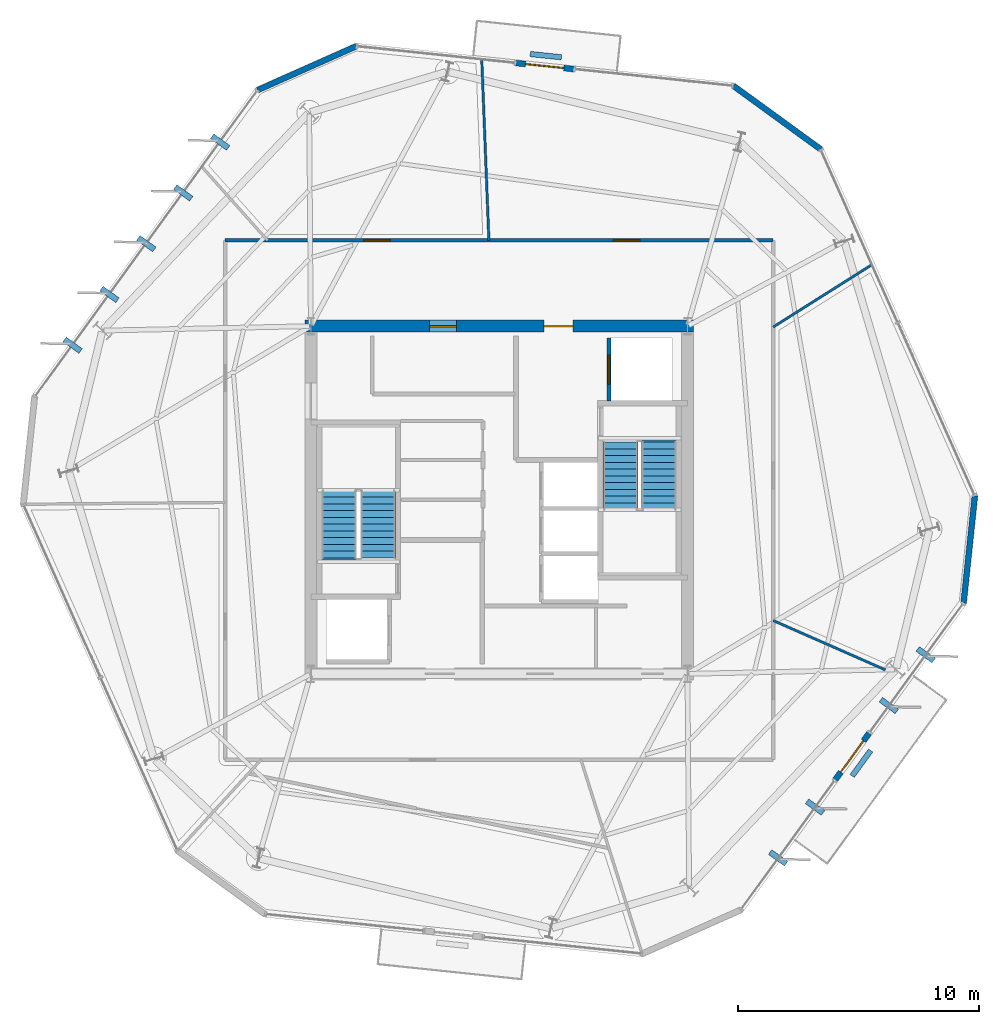
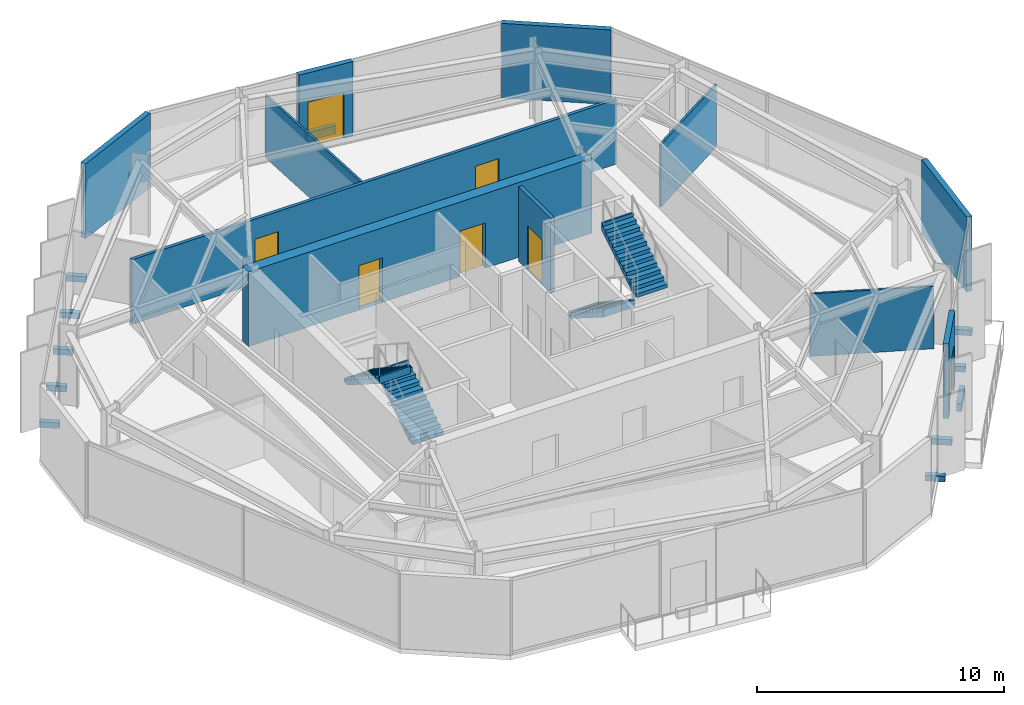
# One storey, part 9 of 12: 13 walls, 9 discrete accessories, 7 doors, 4 stair flights, 7 openings, 2 elements without a shape of their own.
"""IFC4 building model written with IfcOpenShell, lengths in metres."""

from ifc_helpers import new_model, si_unit, direction, frame, frame_2d, origin, origin_2d, place, context, subcontext, project, spatial, polyline, rectangle, outline, extrude, material, layer, layer_set, type_object, element, fill, aggregate, save


model = new_model("IFC4")

# Units and contexts
model_context = context("Model", 3, precision=1e-05, world=origin(), true_north=direction((0.0, 1.0)))
body_context = subcontext(model_context, "Body", "Model", "MODEL_VIEW")
ifc_project = project(units=[si_unit("LENGTHUNIT", "METRE"), si_unit("AREAUNIT", "SQUARE_METRE"), si_unit("VOLUMEUNIT", "CUBIC_METRE"), si_unit("PLANEANGLEUNIT", "RADIAN"), si_unit("MASSUNIT", "GRAM", prefix="KILO")], contexts=[model_context])

# Site, building, storey
site_placement = place(None, origin())
site = spatial("IfcSite", under=ifc_project, at=site_placement, CompositionType="ELEMENT")
building_placement = place(site_placement, origin())
building = spatial("IfcBuilding", under=site, at=building_placement, Name="Kranzbogen Civic Tower", CompositionType="ELEMENT")
storey_placement = place(building_placement, frame((0.0, 0.0, 240.800048828125)))
storey = spatial("IfcBuildingStorey", under=building, at=storey_placement, Name="L58", CompositionType="ELEMENT", Elevation=240.800048828125)

# Wall, openings, doors
ifc_material_1 = material(Name="Double-Stud Acoustic Gypsum Partition")
ifc_layer_1 = layer(ifc_material_1, 0.14990234375, Name="Double-Stud Acoustic Gypsum Partition")
ifc_layer_set_1 = layer_set([ifc_layer_1], Name="Double-Stud Acoustic Gypsum Partition")
wall_type_1 = type_object("IfcWallType", Name="Acoustic Corridor and Clinical Partition 150 mm", PredefinedType="PARTITIONING", material=ifc_layer_set_1)
wall_1_placement = place(storey_placement, frame((13.64990234375, 35.75, 0.0), z_axis=(0.0, 0.0, 1.0), x_axis=(1.0, 0.0, 0.0)))
wall_1 = element("IfcWall", 1, at=wall_1_placement, inside=storey, type_object=wall_type_1, Name="L58 corridor partition 01", PredefinedType="PARTITIONING", context=body_context, shape_type="SweptSolid", body=[
    extrude(rectangle(XDim=22.7001953125, YDim=0.14990234375, at=frame_2d((11.35009765625, 0.0))), origin(), (0.0, 0.0, 1.0), 3.199951171875),
])
opening_1_placement = place(wall_1_placement, frame((16.077880859375, 0.0, 0.0)))
opening_1 = element("IfcOpeningElement", 2, at=opening_1_placement, cuts=wall_1, Name="Opening D-COR60", PredefinedType="OPENING", context=body_context, shape_type="SweptSolid", body=[
    extrude(rectangle(XDim=1.10009765625, YDim=2.199951171875, at=frame_2d((0.550048828125, 1.10009765625))), frame((0.0, 0.0849609375, 0.0), z_axis=(0.0, -1.0, 0.0), x_axis=(1.0, 0.0, 0.0)), (0.0, 0.0, 1.0), 0.169921875),
])
opening_2_placement = place(wall_1_placement, frame((5.75, 0.0, 0.0)))
opening_2 = element("IfcOpeningElement", 3, at=opening_2_placement, cuts=wall_1, Name="Opening D-COR60", PredefinedType="OPENING", context=body_context, shape_type="SweptSolid", body=[
    extrude(rectangle(XDim=1.10009765625, YDim=2.199951171875, at=frame_2d((0.550048828125, 1.10009765625))), frame((0.0, 0.0849609375, 0.0), z_axis=(0.0, -1.0, 0.0), x_axis=(1.0, 0.0, 0.0)), (0.0, 0.0, 1.0), 0.169921875),
])
ifc_material_2 = material(Name="Oak Timber and Fire Core", Category="wood")
door_type_1 = type_object("IfcDoorType", Name="Corridor Acoustic Fire Door 1100x2200", OperationType="NOTDEFINED", PredefinedType="DOOR", material=ifc_material_2)
door_1_placement = place(opening_1_placement, origin())
door_1 = element("IfcDoor", 4, at=door_1_placement, inside=storey, type_object=door_type_1, Name="L58 Duty Crew Control Room door", OperationType="SINGLE_SWING_RIGHT", OverallHeight=2.199951171875, OverallWidth=1.10009765625, PredefinedType="DOOR", context=body_context, shape_type="SweptSolid", body=[
    extrude(rectangle(XDim=1.10009765625, YDim=2.199951171875, at=frame_2d((0.550048828125, 1.10009765625))), frame((0.0, 0.02490234375, 0.0), z_axis=(0.0, -1.0, 0.0), x_axis=(1.0, 0.0, 0.0)), (0.0, 0.0, 1.0), 0.050048828125),
])
fill(opening_1, door_1)
door_2_placement = place(opening_2_placement, origin())
door_2 = element("IfcDoor", 5, at=door_2_placement, inside=storey, type_object=door_type_1, Name="L58 Staff Tea Pantry door", OperationType="SINGLE_SWING_LEFT", OverallHeight=2.199951171875, OverallWidth=1.10009765625, PredefinedType="DOOR", context=body_context, shape_type="SweptSolid", body=[
    extrude(rectangle(XDim=1.10009765625, YDim=2.199951171875, at=frame_2d((0.550048828125, 1.10009765625))), frame((0.0, 0.02490234375, 0.0), z_axis=(0.0, -1.0, 0.0), x_axis=(1.0, 0.0, 0.0)), (0.0, 0.0, 1.0), 0.050048828125),
])
fill(opening_2, door_2)

# Walls
ifc_material_3 = material(Name="Architectural Precast Terracotta Concrete C40/50", Category="masonry")
ifc_layer_2 = layer(ifc_material_3, 0.219970703125, Name="Architectural Precast Terracotta Concrete C40/50")
ifc_layer_set_2 = layer_set([ifc_layer_2], Name="Architectural Precast Terracotta Concrete C40/50")
wall_type_2 = type_object("IfcWallType", Name="Architectural Tree Planter Kerb Wall 220 mm", PredefinedType="USERDEFINED", material=ifc_layer_set_2)
wall_2_placement = place(storey_placement, frame((27.580078125, 43.3349609375, 0.0), z_axis=(0.0, 0.0, 1.0), x_axis=(-0.994506482607, 0.104675002043, 0.0)))
element("IfcWall", 6, at=wall_2_placement, inside=storey, type_object=wall_type_2, Name="L58 landscaped tree balcony planter L58-TB2", ObjectType="PLANTER_WALL", PredefinedType="USERDEFINED", context=body_context, shape_type="SweptSolid", body=[
    extrude(rectangle(XDim=1.299072265625, YDim=0.219970703125, at=frame_2d((0.6494140625, 0.0))), origin(), (0.0, 0.0, 1.0), 0.39990234375),
])
wall_3_placement = place(storey_placement, frame((39.6220703125, 13.572021484375, 0.0), z_axis=(0.0, 0.0, 1.0), x_axis=(0.587579763197, 0.809166251076, 0.0)))
element("IfcWall", 7, at=wall_3_placement, inside=storey, type_object=wall_type_2, Name="L58 landscaped tree balcony planter L58-ST", ObjectType="PLANTER_WALL", PredefinedType="USERDEFINED", context=body_context, shape_type="SweptSolid", body=[
    extrude(rectangle(XDim=1.300048828125, YDim=0.219970703125, at=frame_2d((0.64990234375, 0.0))), origin(), (0.0, 0.0, 1.0), 0.39990234375),
])

# Wall, openings, doors
ifc_material_4 = material(Name="Concrete C45/55", Category="concrete")
ifc_layer_3 = layer(ifc_material_4, 0.5, Name="Concrete C45/55")
ifc_layer_set_3 = layer_set([ifc_layer_3], Name="Concrete C45/55")
wall_type_3 = type_object("IfcWallType", Name="Central Core Shear Wall 500 mm", PredefinedType="SHEAR", material=ifc_layer_set_3)
wall_4_placement = place(storey_placement, frame((33.050048828125, 32.199951171875, 0.0), z_axis=(0.0, 0.0, 1.0), x_axis=(-1.0, 0.0, 0.0)))
wall_4 = element("IfcWall", 8, at=wall_4_placement, inside=storey, type_object=wall_type_3, Name="L58 central core North shear wall", PredefinedType="SHEAR", context=body_context, shape_type="SweptSolid", body=[
    extrude(rectangle(XDim=16.10009765625, YDim=0.5, at=frame_2d((8.050048828125, 0.0))), origin(), (0.0, 0.0, 1.0), 3.699951171875),
])
opening_3_placement = place(wall_4_placement, frame((5.0, 0.0, 0.0)))
opening_3 = element("IfcOpeningElement", 9, at=opening_3_placement, cuts=wall_4, Name="Opening D-EX120", PredefinedType="OPENING", context=body_context, shape_type="SweptSolid", body=[
    extrude(rectangle(XDim=1.199951171875, YDim=2.25, at=frame_2d((0.60009765625, 1.125))), frame((0.0, 0.260009765625, 0.0), z_axis=(0.0, -1.0, 0.0), x_axis=(1.0, 0.0, 0.0)), (0.0, 0.0, 1.0), 0.52001953125),
])
opening_4_placement = place(wall_4_placement, frame((9.824951171875, 0.0, 0.0)))
opening_4 = element("IfcOpeningElement", 10, at=opening_4_placement, cuts=wall_4, Name="Opening D-COR60", PredefinedType="OPENING", context=body_context, shape_type="SweptSolid", body=[
    extrude(rectangle(XDim=1.10009765625, YDim=2.199951171875, at=frame_2d((0.550048828125, 1.10009765625))), frame((0.0, 0.260009765625, 0.0), z_axis=(0.0, -1.0, 0.0), x_axis=(1.0, 0.0, 0.0)), (0.0, 0.0, 1.0), 0.52001953125),
])
door_3_placement = place(opening_4_placement, origin())
door_3 = element("IfcDoor", 11, at=door_3_placement, inside=storey, type_object=door_type_1, Name="L58 DAT1 comms room door", OperationType="SINGLE_SWING_RIGHT", OverallHeight=2.199951171875, OverallWidth=1.10009765625, PredefinedType="DOOR", context=body_context, shape_type="SweptSolid", body=[
    extrude(rectangle(XDim=1.10009765625, YDim=2.199951171875, at=frame_2d((0.550048828125, 1.10009765625))), frame((0.0, 0.02490234375, 0.0), z_axis=(0.0, -1.0, 0.0), x_axis=(1.0, 0.0, 0.0)), (0.0, 0.0, 1.0), 0.050048828125),
])
fill(opening_4, door_3)
ifc_material_5 = material(Name="Steel S355", Category="steel")
door_type_2 = type_object("IfcDoorType", Name="Exit Passageway Fire Door 1200x2250", OperationType="NOTDEFINED", PredefinedType="DOOR", material=ifc_material_5)
door_4_placement = place(opening_3_placement, origin())
door_4 = element("IfcDoor", 12, at=door_4_placement, inside=storey, type_object=door_type_2, Name="L58 East firefighting lobby corridor door", OperationType="SINGLE_SWING_RIGHT", OverallHeight=2.25, OverallWidth=1.199951171875, PredefinedType="DOOR", context=body_context, shape_type="SweptSolid", body=[
    extrude(rectangle(XDim=1.199951171875, YDim=2.25, at=frame_2d((0.60009765625, 1.125))), frame((0.0, 0.02490234375, 0.0), z_axis=(0.0, -1.0, 0.0), x_axis=(1.0, 0.0, 0.0)), (0.0, 0.0, 1.0), 0.050048828125),
])
fill(opening_3, door_4)

# Walls
ifc_material_6 = material(Name="Demountable Aluminium and Gypsum Partition", Category="aluminium")
ifc_layer_4 = layer(ifc_material_6, 0.10009765625, Name="Demountable Aluminium and Gypsum Partition")
ifc_layer_set_4 = layer_set([ifc_layer_4], Name="Demountable Aluminium and Gypsum Partition")
wall_type_4 = type_object("IfcWallType", Name="Demountable Office Partition 100 mm", PredefinedType="MOVABLE", material=ifc_layer_set_4)
wall_5_placement = place(storey_placement, frame((24.575927734375, 35.75, 0.0), z_axis=(0.0, 0.0, 1.0), x_axis=(-0.03939754968, 0.999223615153, 0.0)))
element("IfcWall", 13, at=wall_5_placement, inside=storey, type_object=wall_type_4, Name="L58 radial room partition 01", PredefinedType="MOVABLE", context=body_context, shape_type="SweptSolid", body=[
    extrude(rectangle(XDim=7.48583984375, YDim=0.10009765625, at=frame_2d((3.742919921875, 0.0))), origin(), (0.0, 0.0, 1.0), 3.099853515625),
])
wall_6_placement = place(storey_placement, frame((36.35009765625, 20.008056640625, 0.0), z_axis=(0.0, 0.0, 1.0), x_axis=(0.915376770815, -0.402598270553, 0.0)))
element("IfcWall", 14, at=wall_6_placement, inside=storey, type_object=wall_type_4, Name="L58 radial room partition 06", PredefinedType="MOVABLE", context=body_context, shape_type="SweptSolid", body=[
    extrude(rectangle(XDim=5.072021484375, YDim=0.10009765625, at=frame_2d((2.5361328125, 0.0))), origin(), (0.0, 0.0, 1.0), 3.099853515625),
])
wall_7_placement = place(storey_placement, frame((36.35009765625, 32.1640625, 0.0), z_axis=(0.0, 0.0, 1.0), x_axis=(0.845632033333, 0.53376630111, 0.0)))
element("IfcWall", 15, at=wall_7_placement, inside=storey, type_object=wall_type_4, Name="L58 radial room partition 07", PredefinedType="MOVABLE", context=body_context, shape_type="SweptSolid", body=[
    extrude(rectangle(XDim=4.822265625, YDim=0.10009765625, at=frame_2d((2.4111328125, 0.0))), origin(), (0.0, 0.0, 1.0), 3.099853515625),
])

# Wall, opening, door
ifc_material_7 = material(Name="Gypsum Fireboard Shaftliner")
ifc_layer_5 = layer(ifc_material_7, 0.175048828125, Name="Gypsum Fireboard Shaftliner")
ifc_layer_set_5 = layer_set([ifc_layer_5], Name="Gypsum Fireboard Shaftliner")
wall_type_5 = type_object("IfcWallType", Name="Fire-Rated Lift and Service Shaft Wall 175 mm", PredefinedType="PARTITIONING", material=ifc_layer_set_5)
wall_8_placement = place(storey_placement, frame((29.550048828125, 29.10009765625, 0.0), z_axis=(0.0, 0.0, 1.0), x_axis=(0.0, 1.0, 0.0)))
wall_8 = element("IfcWall", 16, at=wall_8_placement, inside=storey, type_object=wall_type_5, Name="L58 lift FF-02 landing wall", PredefinedType="PARTITIONING", context=body_context, shape_type="SweptSolid", body=[
    extrude(rectangle(XDim=2.599853515625, YDim=0.175048828125, at=frame_2d((1.2998046875, 0.0))), origin(), (0.0, 0.0, 1.0), 3.699951171875),
])
opening_5_placement = place(wall_8_placement, frame((0.699951171875, 0.0, 0.0)))
opening_5 = element("IfcOpeningElement", 17, at=opening_5_placement, cuts=wall_8, Name="Opening LD-FF-02", PredefinedType="OPENING", context=body_context, shape_type="SweptSolid", body=[
    extrude(rectangle(XDim=1.199951171875, YDim=2.199951171875, at=frame_2d((0.60009765625, 1.10009765625))), frame((0.0, 0.09765625, 0.0), z_axis=(0.0, -1.0, 0.0), x_axis=(1.0, 0.0, 0.0)), (0.0, 0.0, 1.0), 0.195068359375),
])
ifc_material_8 = material(Name="Pale Anodised Aluminium", Category="aluminium")
door_type_3 = type_object("IfcDoorType", Name="Firefighting and Stretcher Lift Sliding Landing Door 1200x2200", OperationType="DOUBLE_DOOR_SLIDING", PredefinedType="DOOR", material=ifc_material_8)
door_5_placement = place(opening_5_placement, origin())
door_5 = element("IfcDoor", 18, at=door_5_placement, inside=storey, type_object=door_type_3, Name="L58 lift FF-02 sliding landing door", OperationType="DOUBLE_DOOR_SLIDING", OverallHeight=2.199951171875, OverallWidth=1.199951171875, PredefinedType="DOOR", context=body_context, shape_type="SweptSolid", body=[
    extrude(rectangle(XDim=1.199951171875, YDim=2.199951171875, at=frame_2d((0.60009765625, 1.10009765625))), frame((0.0, 0.02490234375, 0.0), z_axis=(0.0, -1.0, 0.0), x_axis=(1.0, 0.0, 0.0)), (0.0, 0.0, 1.0), 0.050048828125),
])
fill(opening_5, door_5)

ifc_layer_6 = layer(ifc_material_8, 0.239990234375, Name="Pale Anodised Aluminium")
ifc_layer_set_6 = layer_set([ifc_layer_6], Name="Pale Anodised Aluminium")
wall_type_6 = type_object("IfcWallType", Name="Insulated Aluminium Facade Portal Wall 240 mm", PredefinedType="STANDARD", material=ifc_layer_set_6)
wall_9_placement = place(storey_placement, frame((28.08203125, 42.846923828125, 0.0), z_axis=(0.0, 0.0, 1.0), x_axis=(-0.994517708252, 0.10456829335, 0.0)))
wall_9 = element("IfcWall", 19, at=wall_9_placement, inside=storey, type_object=wall_type_6, Name="L58 exterior entrance portal wall 1", PredefinedType="STANDARD", context=body_context, shape_type="SweptSolid", body=[
    extrude(rectangle(XDim=2.400146484375, YDim=0.239990234375, at=frame_2d((1.2001953125, 0.0))), origin(), (0.0, 0.0, 1.0), 3.699951171875),
])
opening_6_placement = place(wall_9_placement, frame((0.39990234375, 0.0, 0.0)))
opening_6 = element("IfcOpeningElement", 20, at=opening_6_placement, cuts=wall_9, Name="Opening D-TER", PredefinedType="OPENING", context=body_context, shape_type="SweptSolid", body=[
    extrude(rectangle(XDim=1.60009765625, YDim=2.25, at=frame_2d((0.800048828125, 1.125))), frame((0.0, 0.1298828125, 0.0), z_axis=(0.0, -1.0, 0.0), x_axis=(1.0, 0.0, 0.0)), (0.0, 0.0, 1.0), 0.260009765625),
])
ifc_material_9 = material(Name="Anodised Bronze and Triple Glass", Category="glass")
door_type_4 = type_object("IfcDoorType", Name="Glazed Terrace and Balcony Double Door 1600x2250", OperationType="DOUBLE_DOOR_SINGLE_SWING", PredefinedType="DOOR", material=ifc_material_9)
door_6_placement = place(opening_6_placement, frame((1.60009765625, 0.0, 0.0), z_axis=(0.0, 0.0, 1.0), x_axis=(-1.0, 0.0, 0.0)))
door_6 = element("IfcDoor", 21, at=door_6_placement, inside=storey, type_object=door_type_4, Name="L58 tree balcony access door L58-TB2", OperationType="DOUBLE_DOOR_SINGLE_SWING", OverallHeight=2.25, OverallWidth=1.60009765625, PredefinedType="DOOR", context=body_context, shape_type="SweptSolid", body=[
    extrude(rectangle(XDim=1.60009765625, YDim=2.25, at=frame_2d((0.800048828125, 1.125))), frame((0.0, 0.02490234375, 0.0), z_axis=(0.0, -1.0, 0.0), x_axis=(1.0, 0.0, 0.0)), (0.0, 0.0, 1.0), 0.050048828125),
])
fill(opening_6, door_6)

# Wall
wall_10_placement = place(storey_placement, frame((19.077880859375, 43.79296875, 0.0), z_axis=(0.0, 0.0, 1.0), x_axis=(-0.913581562374, -0.406655540833, 0.0)))
element("IfcWall", 22, at=wall_10_placement, inside=storey, type_object=wall_type_6, Name="L58 chamfered corner facade spandrel 1", PredefinedType="STANDARD", context=body_context, shape_type="SweptSolid", body=[
    extrude(rectangle(XDim=4.468017578125, YDim=0.239990234375, at=frame_2d((2.23388671875, 0.0))), origin(), (0.0, 0.0, 1.0), 3.699951171875),
])

# Wall, opening, door
wall_11_placement = place(storey_placement, frame((38.9150390625, 13.406982421875, 0.0), z_axis=(0.0, 0.0, 1.0), x_axis=(0.58771776895, 0.809066019593, 0.0)))
wall_11 = element("IfcWall", 23, at=wall_11_placement, inside=storey, type_object=wall_type_6, Name="L58 exterior entrance portal wall 1", PredefinedType="STANDARD", context=body_context, shape_type="SweptSolid", body=[
    extrude(rectangle(XDim=2.39892578125, YDim=0.239990234375, at=frame_2d((1.199462890625, 0.0))), origin(), (0.0, 0.0, 1.0), 3.699951171875),
])
opening_7_placement = place(wall_11_placement, frame((0.39990234375, 0.0, 0.0)))
opening_7 = element("IfcOpeningElement", 24, at=opening_7_placement, cuts=wall_11, Name="Opening D-TER", PredefinedType="OPENING", context=body_context, shape_type="SweptSolid", body=[
    extrude(rectangle(XDim=1.60009765625, YDim=2.25, at=frame_2d((0.800048828125, 1.125))), frame((0.0, 0.1298828125, 0.0), z_axis=(0.0, -1.0, 0.0), x_axis=(1.0, 0.0, 0.0)), (0.0, 0.0, 1.0), 0.260009765625),
])
door_7_placement = place(opening_7_placement, frame((1.60009765625, 0.0, 0.0), z_axis=(0.0, 0.0, 1.0), x_axis=(-1.0, 0.0, 0.0)))
door_7 = element("IfcDoor", 25, at=door_7_placement, inside=storey, type_object=door_type_4, Name="L58 spiral terrace access door L58-ST", OperationType="DOUBLE_DOOR_SINGLE_SWING", OverallHeight=2.25, OverallWidth=1.60009765625, PredefinedType="DOOR", context=body_context, shape_type="SweptSolid", body=[
    extrude(rectangle(XDim=1.60009765625, YDim=2.25, at=frame_2d((0.800048828125, 1.125))), frame((0.0, 0.02490234375, 0.0), z_axis=(0.0, -1.0, 0.0), x_axis=(1.0, 0.0, 0.0)), (0.0, 0.0, 1.0), 0.050048828125),
])
fill(opening_7, door_7)

# Walls
wall_12_placement = place(storey_placement, frame((44.236083984375, 20.73095703125, 0.0), z_axis=(0.0, 0.0, 1.0), x_axis=(0.104710374516, 0.994502758904, 0.0)))
element("IfcWall", 26, at=wall_12_placement, inside=storey, type_object=wall_type_6, Name="L58 chamfered corner facade spandrel 5", PredefinedType="STANDARD", context=body_context, shape_type="SweptSolid", body=[
    extrude(rectangle(XDim=4.4697265625, YDim=0.239990234375, at=frame_2d((2.23486328125, 0.0))), origin(), (0.0, 0.0, 1.0), 3.699951171875),
])
wall_13_placement = place(storey_placement, frame((38.31396484375, 39.52490234375, 0.0), z_axis=(0.0, 0.0, 1.0), x_axis=(-0.808861298874, 0.587999489102, 0.0)))
element("IfcWall", 27, at=wall_13_placement, inside=storey, type_object=wall_type_6, Name="L58 chamfered corner facade spandrel 6", PredefinedType="STANDARD", context=body_context, shape_type="SweptSolid", body=[
    extrude(rectangle(XDim=4.468017578125, YDim=0.239990234375, at=frame_2d((2.23388671875, 0.0))), origin(), (0.0, 0.0, 1.0), 3.699951171875),
])

# Stair, stair flights
ifc_material_10 = material(Name="Precast concrete C40/50", Category="concrete")
stair_type_1 = type_object("IfcStairType", Name="Tower Core Pressurized Dogleg Stair 1450", PredefinedType="HALF_TURN_STAIR", material=ifc_material_10)
stair_1_placement = place(storey_placement, origin())
stair_1 = element("IfcStair", 28, at=stair_1_placement, inside=storey, type_object=stair_type_1, Name="L58 Tower Core Pressurized Stair 1", PredefinedType="HALF_TURN_STAIR")
stair_flight_type = type_object("IfcStairFlightType", Name="Precast Concrete Stair Flight R180", PredefinedType="STRAIGHT", material=ifc_material_10)
stair_flight_1_placement = place(storey_placement, frame((19.97509765625, 22.60009765625, 0.0), z_axis=(0.0, 0.0, 1.0), x_axis=(0.0, 1.0, 0.0)))
stair_flight_1 = element("IfcStairFlight", 29, at=stair_flight_1_placement, type_object=stair_flight_type, Name="ST-T1 flight 1", NumberOfRisers=11, NumberOfTreads=10, PredefinedType="STRAIGHT", RiserHeight=0.181818182, TreadLength=0.28, context=body_context, shape_type="SweptSolid", body=[
    extrude(outline(polyline([(0.0, 0.0), (0.0, 0.181884765625), (0.280029296875, 0.181884765625), (0.280029296875, 0.363525390625), (0.56005859375, 0.363525390625), (0.56005859375, 0.54541015625), (0.840087890625, 0.54541015625), (0.840087890625, 0.727294921875), (1.1201171875, 0.727294921875), (1.1201171875, 0.9091796875), (1.39990234375, 0.9091796875), (1.39990234375, 1.0908203125), (1.679931640625, 1.0908203125), (1.679931640625, 1.272705078125), (1.9599609375, 1.272705078125), (1.9599609375, 1.45458984375), (2.239990234375, 1.45458984375), (2.239990234375, 1.636474609375), (2.52001953125, 1.636474609375), (2.52001953125, 1.818115234375), (2.800048828125, 1.818115234375), (2.800048828125, 2.0), (2.880126953125, 2.0), (2.880126953125, 1.639404296875), (0.275146484375, 0.0), (0.0, 0.0)])), frame((0.0, 0.72509765625, 0.0), z_axis=(0.0, -1.0, 0.0), x_axis=(1.0, 0.0, 0.0)), (0.0, 0.0, 1.0), 1.449951171875),
])
stair_flight_2_placement = place(storey_placement, frame((18.375, 25.39990234375, 2.0), z_axis=(0.0, 0.0, 1.0), x_axis=(0.0, -1.0, 0.0)))
stair_flight_2 = element("IfcStairFlight", 30, at=stair_flight_2_placement, type_object=stair_flight_type, Name="ST-T1 flight 2", NumberOfRisers=11, NumberOfTreads=10, PredefinedType="STRAIGHT", RiserHeight=0.181818182, TreadLength=0.28, context=body_context, shape_type="SweptSolid", body=[
    extrude(outline(polyline([(0.0, 0.0), (0.0, 0.181884765625), (0.280029296875, 0.181884765625), (0.280029296875, 0.363525390625), (0.56005859375, 0.363525390625), (0.56005859375, 0.54541015625), (0.840087890625, 0.54541015625), (0.840087890625, 0.727294921875), (1.1201171875, 0.727294921875), (1.1201171875, 0.9091796875), (1.39990234375, 0.9091796875), (1.39990234375, 1.0908203125), (1.679931640625, 1.0908203125), (1.679931640625, 1.272705078125), (1.9599609375, 1.272705078125), (1.9599609375, 1.45458984375), (2.239990234375, 1.45458984375), (2.239990234375, 1.636474609375), (2.52001953125, 1.636474609375), (2.52001953125, 1.818115234375), (2.800048828125, 1.818115234375), (2.800048828125, 2.0), (2.880126953125, 2.0), (2.880126953125, 1.639404296875), (0.275146484375, 0.0), (0.0, 0.0)])), frame((0.0, 0.72509765625, 0.0), z_axis=(0.0, -1.0, 0.0), x_axis=(1.0, 0.0, 0.0)), (0.0, 0.0, 1.0), 1.449951171875),
])
aggregate(stair_1, [stair_flight_1, stair_flight_2])

stair_type_2 = type_object("IfcStairType", Name="Tower Core Secondary Dogleg Stair 1450", PredefinedType="HALF_TURN_STAIR", material=ifc_material_10)
stair_2_placement = place(storey_placement, origin())
stair_2 = element("IfcStair", 31, at=stair_2_placement, inside=storey, type_object=stair_type_2, Name="L58 Tower Core Pressurized Stair 2", PredefinedType="HALF_TURN_STAIR")
stair_flight_3_placement = place(storey_placement, frame((30.02490234375, 27.39990234375, 0.0), z_axis=(0.0, 0.0, 1.0), x_axis=(0.0, -1.0, 0.0)))
stair_flight_3 = element("IfcStairFlight", 32, at=stair_flight_3_placement, type_object=stair_flight_type, Name="ST-T2 flight 1", NumberOfRisers=11, NumberOfTreads=10, PredefinedType="STRAIGHT", RiserHeight=0.181818182, TreadLength=0.28, context=body_context, shape_type="SweptSolid", body=[
    extrude(outline(polyline([(0.0, 0.0), (0.0, 0.181884765625), (0.280029296875, 0.181884765625), (0.280029296875, 0.363525390625), (0.56005859375, 0.363525390625), (0.56005859375, 0.54541015625), (0.840087890625, 0.54541015625), (0.840087890625, 0.727294921875), (1.1201171875, 0.727294921875), (1.1201171875, 0.9091796875), (1.39990234375, 0.9091796875), (1.39990234375, 1.0908203125), (1.679931640625, 1.0908203125), (1.679931640625, 1.272705078125), (1.9599609375, 1.272705078125), (1.9599609375, 1.45458984375), (2.239990234375, 1.45458984375), (2.239990234375, 1.636474609375), (2.52001953125, 1.636474609375), (2.52001953125, 1.818115234375), (2.800048828125, 1.818115234375), (2.800048828125, 2.0), (2.880126953125, 2.0), (2.880126953125, 1.639404296875), (0.275146484375, 0.0), (0.0, 0.0)])), frame((0.0, 0.72509765625, 0.0), z_axis=(0.0, -1.0, 0.0), x_axis=(1.0, 0.0, 0.0)), (0.0, 0.0, 1.0), 1.449951171875),
])
stair_flight_4_placement = place(storey_placement, frame((31.625, 24.60009765625, 2.0), z_axis=(0.0, 0.0, 1.0), x_axis=(0.0, 1.0, 0.0)))
stair_flight_4 = element("IfcStairFlight", 33, at=stair_flight_4_placement, type_object=stair_flight_type, Name="ST-T2 flight 2", NumberOfRisers=11, NumberOfTreads=10, PredefinedType="STRAIGHT", RiserHeight=0.181818182, TreadLength=0.28, context=body_context, shape_type="SweptSolid", body=[
    extrude(outline(polyline([(0.0, 0.0), (0.0, 0.181884765625), (0.280029296875, 0.181884765625), (0.280029296875, 0.363525390625), (0.56005859375, 0.363525390625), (0.56005859375, 0.54541015625), (0.840087890625, 0.54541015625), (0.840087890625, 0.727294921875), (1.1201171875, 0.727294921875), (1.1201171875, 0.9091796875), (1.39990234375, 0.9091796875), (1.39990234375, 1.0908203125), (1.679931640625, 1.0908203125), (1.679931640625, 1.272705078125), (1.9599609375, 1.272705078125), (1.9599609375, 1.45458984375), (2.239990234375, 1.45458984375), (2.239990234375, 1.636474609375), (2.52001953125, 1.636474609375), (2.52001953125, 1.818115234375), (2.800048828125, 1.818115234375), (2.800048828125, 2.0), (2.880126953125, 2.0), (2.880126953125, 1.639404296875), (0.275146484375, 0.0), (0.0, 0.0)])), frame((0.0, 0.72509765625, 0.0), z_axis=(0.0, -1.0, 0.0), x_axis=(1.0, 0.0, 0.0)), (0.0, 0.0, 1.0), 1.449951171875),
])
aggregate(stair_2, [stair_flight_3, stair_flight_4])

# Discrete accessories
discrete_accessory_type = type_object("IfcDiscreteAccessoryType", Name="Structural Curtain-Wall Fin Support Bracket", PredefinedType="BRACKET", material=ifc_material_5)
for number, where, z_axis, x_axis, name in (
    (34, (13.446044921875, 39.822998046875, -0.25), (0.0, 0.0, 1.0), (-0.809016994375, 0.587785252292, 0.0), "L58 facade fin support bracket F2-1"),
    (35, (11.9169921875, 37.718994140625, -0.25), (0.0, 0.0, 1.0), (-0.809016994375, 0.587785252292, 0.0), "L58 facade fin support bracket F2-2"),
    (36, (10.388916015625, 35.615966796875, -0.25), (0.0, 0.0, 1.0), (-0.809016994375, 0.587785252292, 0.0), "L58 facade fin support bracket F2-3"),
    (37, (8.861083984375, 33.511962890625, -0.25), (0.0, 0.0, 1.0), (-0.809016994375, 0.587785252292, 0.0), "L58 facade fin support bracket F2-4"),
    (38, (7.3330078125, 31.408935546875, -0.25), (0.0, 0.0, 1.0), (-0.809016994375, 0.587785252292, 0.0), "L58 facade fin support bracket F2-5"),
    (39, (36.553955078125, 10.177001953125, -0.25), (0.0, 0.0, 1.0), (0.809016994375, -0.587785252292, 0.0), "L58 facade fin support bracket F5-1"),
    (40, (38.0830078125, 12.281005859375, -0.25), (0.0, 0.0, 1.0), (0.809016994375, -0.587785252292, 0.0), "L58 facade fin support bracket F5-2"),
    (41, (41.138916015625, 16.488037109375, -0.25), (0.0, 0.0, 1.0), (0.809016994375, -0.587785252292, 0.0), "L58 facade fin support bracket F5-4"),
    (42, (42.6669921875, 18.591064453125, -0.25), (0.0, 0.0, 1.0), (0.809016994375, -0.587785252292, 0.0), "L58 facade fin support bracket F5-5"),
):
    element("IfcDiscreteAccessory", number, at=place(storey_placement, frame(where, z_axis=z_axis, x_axis=x_axis)), inside=storey, type_object=discrete_accessory_type, Name=name, PredefinedType="BRACKET", context=body_context, shape_type="SweptSolid", body=[
        extrude(rectangle(XDim=0.820068359375, YDim=0.239990234375, at=origin_2d()), origin(), (0.0, 0.0, 1.0), 0.280029296875),
    ])

save(model, "model.ifc")
